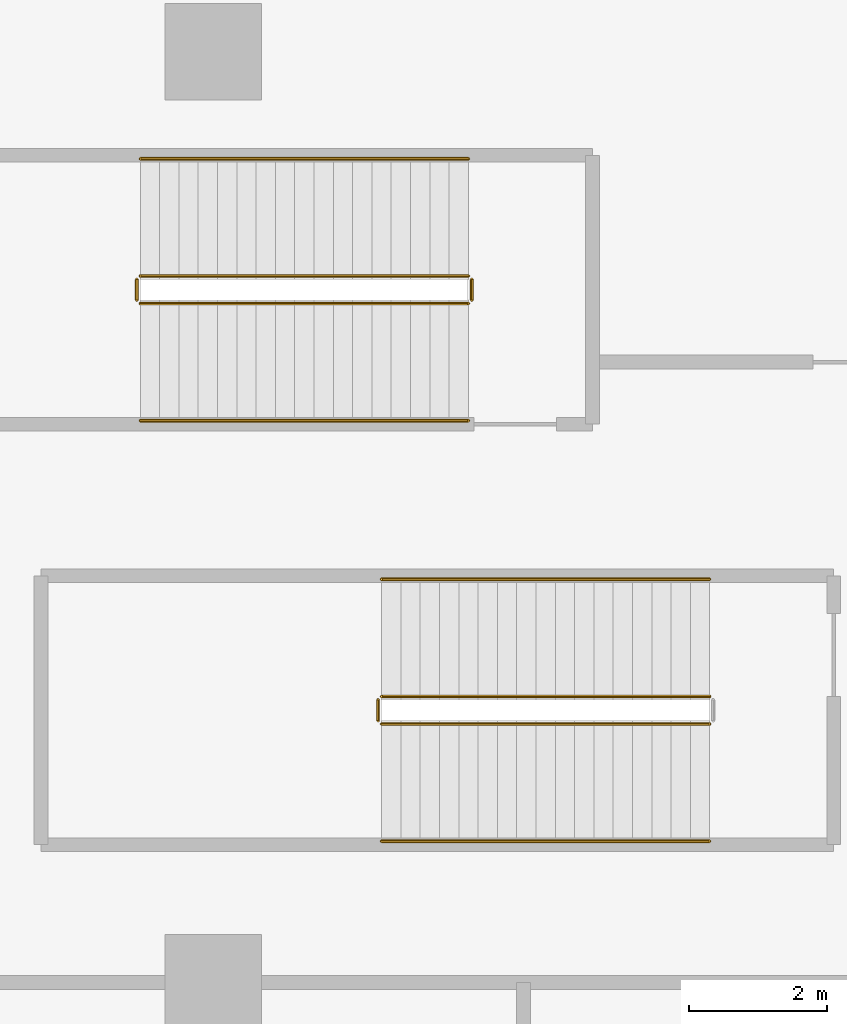
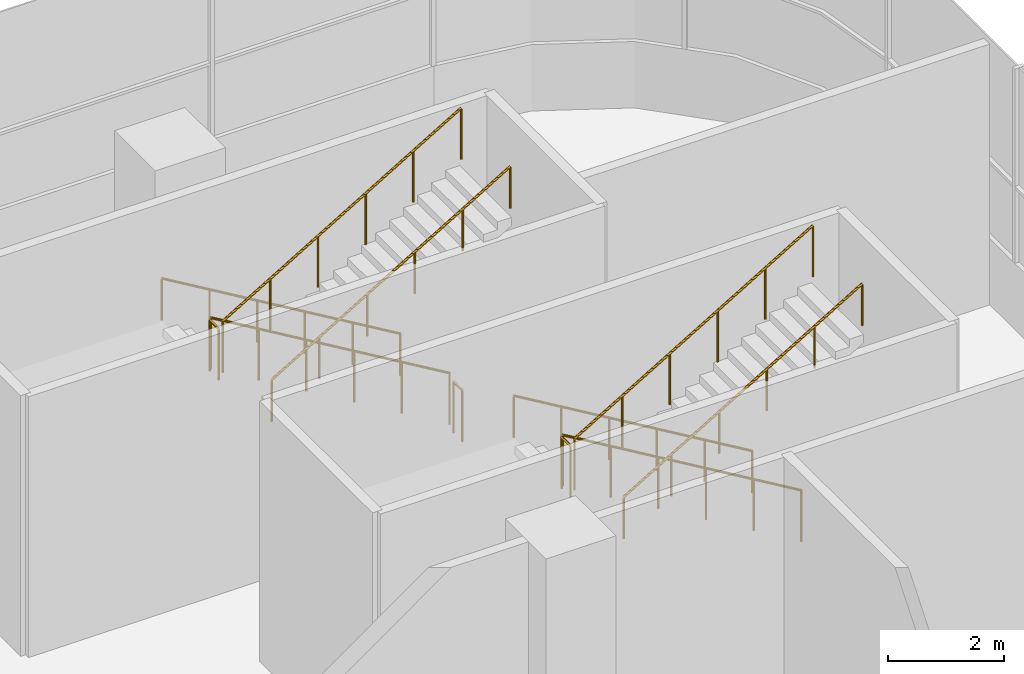
# One storey, part 50 of 52: 11 railings.
"""IFC4 building model written with IfcOpenShell, lengths in metres."""

from ifc_helpers import new_model, si_unit, direction, frame, origin, origin_2d, place, context, subcontext, project, spatial, circle, extrude, material, type_object, element, save


model = new_model("IFC4")

# Units and contexts
model_context = context("Model", 3, precision=1e-05, world=origin(), true_north=direction((0.0, 1.0)))
body_context = subcontext(model_context, "Body", "Model", "MODEL_VIEW")
ifc_project = project(units=[si_unit("LENGTHUNIT", "METRE"), si_unit("AREAUNIT", "SQUARE_METRE"), si_unit("VOLUMEUNIT", "CUBIC_METRE"), si_unit("PLANEANGLEUNIT", "RADIAN"), si_unit("MASSUNIT", "GRAM", prefix="KILO")], contexts=[model_context])

# Site, building, storey
site_placement = place(None, origin())
site = spatial("IfcSite", under=ifc_project, at=site_placement, CompositionType="ELEMENT")
building_placement = place(site_placement, origin())
building = spatial("IfcBuilding", under=site, at=building_placement, Name="Tamarind Cross Interchange Tower", CompositionType="ELEMENT")
storey_placement = place(building_placement, frame((0.0, 0.0, 9.0)))
storey = spatial("IfcBuildingStorey", under=building, at=storey_placement, Name="L01", CompositionType="ELEMENT", Elevation=9.0)

# Railings
ifc_material_1 = material(Name="Public stair guard")
railing_type_1 = type_object("IfcRailingType", Name="Public stair guard", PredefinedType="GUARDRAIL", material=ifc_material_1)
railing_1_placement = place(storey_placement, frame((57.699951171875, 50.75, 0.166748046875)))
element("IfcRailing", 1, at=railing_1_placement, inside=storey, type_object=railing_type_1, Name="L01 XS-P01 stair guard 1", PredefinedType="GUARDRAIL", context=body_context, shape_type="SweptSolid", body=[
    extrude(circle(Radius=0.02392578125, at=origin_2d()), frame((0.0, 0.0, 1.076171875), z_axis=(-0.859299802514, 0.0, 0.511472237174), x_axis=(0.0, -1.0, 0.0)), (0.0, 0.0, 1.0), 5.539306640625),
    extrude(circle(Radius=0.02099609375, at=origin_2d()), origin(), (0.0, 0.0, 1.0), 1.052001953125),
    extrude(circle(Radius=0.02099609375, at=origin_2d()), frame((-0.951904296875, 0.0, 0.566650390625)), (0.0, 0.0, 1.0), 1.052001953125),
    extrude(circle(Radius=0.02099609375, at=origin_2d()), frame((-1.904052734375, 0.0, 1.13330078125)), (0.0, 0.0, 1.0), 1.052001953125),
    extrude(circle(Radius=0.02099609375, at=origin_2d()), frame((-2.85595703125, 0.0, 1.699951171875)), (0.0, 0.0, 1.0), 1.052001953125),
    extrude(circle(Radius=0.02099609375, at=origin_2d()), frame((-3.80810546875, 0.0, 2.2666015625)), (0.0, 0.0, 1.0), 1.052001953125),
    extrude(circle(Radius=0.02099609375, at=origin_2d()), frame((-4.760009765625, 0.0, 2.833251953125)), (0.0, 0.0, 1.0), 1.052001953125),
])
railing_2_placement = place(storey_placement, frame((52.889892578125, 50.699951171875, 3.0)))
element("IfcRailing", 2, at=railing_2_placement, inside=storey, type_object=railing_type_1, Name="L01 XS-P01 stair guard 2", PredefinedType="GUARDRAIL", context=body_context, shape_type="SweptSolid", body=[
    extrude(circle(Radius=0.02392578125, at=origin_2d()), frame((0.0, 0.0, 1.076171875), z_axis=(0.0, -1.0, 0.0), x_axis=(1.0, 0.0, 0.0)), (0.0, 0.0, 1.0), 0.300048828125),
    extrude(circle(Radius=0.02099609375, at=origin_2d()), origin(), (0.0, 0.0, 1.0), 1.052001953125),
    extrude(circle(Radius=0.02099609375, at=origin_2d()), frame((0.0, -0.300048828125, 0.0)), (0.0, 0.0, 1.0), 1.052001953125),
])
railing_3_placement = place(storey_placement, frame((52.93994140625, 50.35009765625, 3.166748046875)))
element("IfcRailing", 3, at=railing_3_placement, inside=storey, type_object=railing_type_1, Name="L01 XS-P01 stair guard 3", PredefinedType="GUARDRAIL", context=body_context, shape_type="SweptSolid", body=[
    extrude(circle(Radius=0.02392578125, at=origin_2d()), frame((0.0, 0.0, 1.076171875), z_axis=(0.859299802514, 0.0, 0.511472237174), x_axis=(0.0, 1.0, 0.0)), (0.0, 0.0, 1.0), 5.539306640625),
    extrude(circle(Radius=0.02099609375, at=origin_2d()), origin(), (0.0, 0.0, 1.0), 1.052001953125),
    extrude(circle(Radius=0.02099609375, at=origin_2d()), frame((0.951904296875, 0.0, 0.566650390625)), (0.0, 0.0, 1.0), 1.052001953125),
    extrude(circle(Radius=0.02099609375, at=origin_2d()), frame((1.904052734375, 0.0, 1.13330078125)), (0.0, 0.0, 1.0), 1.052001953125),
    extrude(circle(Radius=0.02099609375, at=origin_2d()), frame((2.85595703125, 0.0, 1.699951171875)), (0.0, 0.0, 1.0), 1.052001953125),
    extrude(circle(Radius=0.02099609375, at=origin_2d()), frame((3.80810546875, 0.0, 2.2666015625)), (0.0, 0.0, 1.0), 1.052001953125),
    extrude(circle(Radius=0.02099609375, at=origin_2d()), frame((4.760009765625, 0.0, 2.833251953125)), (0.0, 0.0, 1.0), 1.052001953125),
])
railing_4_placement = place(storey_placement, frame((57.75, 50.699951171875, 0.0)))
element("IfcRailing", 4, at=railing_4_placement, inside=storey, type_object=railing_type_1, Name="L01 XS-P01 stair guard 4", PredefinedType="GUARDRAIL", context=body_context, shape_type="SweptSolid", body=[
    extrude(circle(Radius=0.02392578125, at=origin_2d()), frame((0.0, 0.0, 1.076171875), z_axis=(0.0, -1.0, 0.0), x_axis=(1.0, 0.0, 0.0)), (0.0, 0.0, 1.0), 0.300048828125),
    extrude(circle(Radius=0.02099609375, at=origin_2d()), origin(), (0.0, 0.0, 1.0), 1.052001953125),
    extrude(circle(Radius=0.02099609375, at=origin_2d()), frame((0.0, -0.300048828125, 0.0)), (0.0, 0.0, 1.0), 1.052001953125),
])
railing_5_placement = place(storey_placement, frame((61.199951171875, 44.64990234375, 0.166748046875)))
element("IfcRailing", 5, at=railing_5_placement, inside=storey, type_object=railing_type_1, Name="L01 XS-P02 stair guard 1", PredefinedType="GUARDRAIL", context=body_context, shape_type="SweptSolid", body=[
    extrude(circle(Radius=0.02392578125, at=origin_2d()), frame((0.0, 0.0, 1.076171875), z_axis=(-0.859299802514, 0.0, 0.511472237174), x_axis=(0.0, -1.0, 0.0)), (0.0, 0.0, 1.0), 5.539306640625),
    extrude(circle(Radius=0.02099609375, at=origin_2d()), origin(), (0.0, 0.0, 1.0), 1.052001953125),
    extrude(circle(Radius=0.02099609375, at=origin_2d()), frame((-0.951904296875, 0.0, 0.566650390625)), (0.0, 0.0, 1.0), 1.052001953125),
    extrude(circle(Radius=0.02099609375, at=origin_2d()), frame((-1.904052734375, 0.0, 1.13330078125)), (0.0, 0.0, 1.0), 1.052001953125),
    extrude(circle(Radius=0.02099609375, at=origin_2d()), frame((-2.85595703125, 0.0, 1.699951171875)), (0.0, 0.0, 1.0), 1.052001953125),
    extrude(circle(Radius=0.02099609375, at=origin_2d()), frame((-3.80810546875, 0.0, 2.2666015625)), (0.0, 0.0, 1.0), 1.052001953125),
    extrude(circle(Radius=0.02099609375, at=origin_2d()), frame((-4.760009765625, 0.0, 2.833251953125)), (0.0, 0.0, 1.0), 1.052001953125),
])
railing_6_placement = place(storey_placement, frame((56.389892578125, 44.60009765625, 3.0)))
element("IfcRailing", 6, at=railing_6_placement, inside=storey, type_object=railing_type_1, Name="L01 XS-P02 stair guard 2", PredefinedType="GUARDRAIL", context=body_context, shape_type="SweptSolid", body=[
    extrude(circle(Radius=0.02392578125, at=origin_2d()), frame((0.0, 0.0, 1.076171875), z_axis=(0.0, -1.0, 0.0), x_axis=(1.0, 0.0, 0.0)), (0.0, 0.0, 1.0), 0.300048828125),
    extrude(circle(Radius=0.02099609375, at=origin_2d()), origin(), (0.0, 0.0, 1.0), 1.052001953125),
    extrude(circle(Radius=0.02099609375, at=origin_2d()), frame((0.0, -0.300048828125, 0.0)), (0.0, 0.0, 1.0), 1.052001953125),
])
railing_7_placement = place(storey_placement, frame((56.43994140625, 44.25, 3.166748046875)))
element("IfcRailing", 7, at=railing_7_placement, inside=storey, type_object=railing_type_1, Name="L01 XS-P02 stair guard 3", PredefinedType="GUARDRAIL", context=body_context, shape_type="SweptSolid", body=[
    extrude(circle(Radius=0.02392578125, at=origin_2d()), frame((0.0, 0.0, 1.076171875), z_axis=(0.859299802514, 0.0, 0.511472237174), x_axis=(0.0, 1.0, 0.0)), (0.0, 0.0, 1.0), 5.539306640625),
    extrude(circle(Radius=0.02099609375, at=origin_2d()), origin(), (0.0, 0.0, 1.0), 1.052001953125),
    extrude(circle(Radius=0.02099609375, at=origin_2d()), frame((0.951904296875, 0.0, 0.566650390625)), (0.0, 0.0, 1.0), 1.052001953125),
    extrude(circle(Radius=0.02099609375, at=origin_2d()), frame((1.904052734375, 0.0, 1.13330078125)), (0.0, 0.0, 1.0), 1.052001953125),
    extrude(circle(Radius=0.02099609375, at=origin_2d()), frame((2.85595703125, 0.0, 1.699951171875)), (0.0, 0.0, 1.0), 1.052001953125),
    extrude(circle(Radius=0.02099609375, at=origin_2d()), frame((3.80810546875, 0.0, 2.2666015625)), (0.0, 0.0, 1.0), 1.052001953125),
    extrude(circle(Radius=0.02099609375, at=origin_2d()), frame((4.760009765625, 0.0, 2.833251953125)), (0.0, 0.0, 1.0), 1.052001953125),
])
ifc_material_2 = material(Name="Public stair handrail")
railing_type_2 = type_object("IfcRailingType", Name="Public stair handrail", PredefinedType="HANDRAIL", material=ifc_material_2)
railing_8_placement = place(storey_placement, frame((57.699951171875, 52.449951171875, 0.166748046875)))
element("IfcRailing", 8, at=railing_8_placement, inside=storey, type_object=railing_type_2, Name="L01 XS-P01 stair handrail 1", PredefinedType="HANDRAIL", context=body_context, shape_type="SweptSolid", body=[
    extrude(circle(Radius=0.02392578125, at=origin_2d()), frame((0.0, 0.0, 0.8759765625), z_axis=(-0.859299802514, 0.0, 0.511472237174), x_axis=(0.0, -1.0, 0.0)), (0.0, 0.0, 1.0), 5.539306640625),
    extrude(circle(Radius=0.02099609375, at=origin_2d()), origin(), (0.0, 0.0, 1.0), 0.851806640625),
    extrude(circle(Radius=0.02099609375, at=origin_2d()), frame((-0.951904296875, 0.0, 0.566650390625)), (0.0, 0.0, 1.0), 0.851806640625),
    extrude(circle(Radius=0.02099609375, at=origin_2d()), frame((-1.904052734375, 0.0, 1.13330078125)), (0.0, 0.0, 1.0), 0.851806640625),
    extrude(circle(Radius=0.02099609375, at=origin_2d()), frame((-2.85595703125, 0.0, 1.699951171875)), (0.0, 0.0, 1.0), 0.851806640625),
    extrude(circle(Radius=0.02099609375, at=origin_2d()), frame((-3.80810546875, 0.0, 2.2666015625)), (0.0, 0.0, 1.0), 0.851806640625),
    extrude(circle(Radius=0.02099609375, at=origin_2d()), frame((-4.760009765625, 0.0, 2.833251953125)), (0.0, 0.0, 1.0), 0.851806640625),
])
railing_9_placement = place(storey_placement, frame((52.93994140625, 48.64990234375, 3.166748046875)))
element("IfcRailing", 9, at=railing_9_placement, inside=storey, type_object=railing_type_2, Name="L01 XS-P01 stair handrail 2", PredefinedType="HANDRAIL", context=body_context, shape_type="SweptSolid", body=[
    extrude(circle(Radius=0.02392578125, at=origin_2d()), frame((0.0, 0.0, 0.8759765625), z_axis=(0.859299802514, 0.0, 0.511472237174), x_axis=(0.0, 1.0, 0.0)), (0.0, 0.0, 1.0), 5.539306640625),
    extrude(circle(Radius=0.02099609375, at=origin_2d()), origin(), (0.0, 0.0, 1.0), 0.851806640625),
    extrude(circle(Radius=0.02099609375, at=origin_2d()), frame((0.951904296875, 0.0, 0.566650390625)), (0.0, 0.0, 1.0), 0.851806640625),
    extrude(circle(Radius=0.02099609375, at=origin_2d()), frame((1.904052734375, 0.0, 1.13330078125)), (0.0, 0.0, 1.0), 0.851806640625),
    extrude(circle(Radius=0.02099609375, at=origin_2d()), frame((2.85595703125, 0.0, 1.699951171875)), (0.0, 0.0, 1.0), 0.851806640625),
    extrude(circle(Radius=0.02099609375, at=origin_2d()), frame((3.80810546875, 0.0, 2.2666015625)), (0.0, 0.0, 1.0), 0.851806640625),
    extrude(circle(Radius=0.02099609375, at=origin_2d()), frame((4.760009765625, 0.0, 2.833251953125)), (0.0, 0.0, 1.0), 0.851806640625),
])
railing_10_placement = place(storey_placement, frame((61.199951171875, 46.35009765625, 0.166748046875)))
element("IfcRailing", 10, at=railing_10_placement, inside=storey, type_object=railing_type_2, Name="L01 XS-P02 stair handrail 1", PredefinedType="HANDRAIL", context=body_context, shape_type="SweptSolid", body=[
    extrude(circle(Radius=0.02392578125, at=origin_2d()), frame((0.0, 0.0, 0.8759765625), z_axis=(-0.859299802514, 0.0, 0.511472237174), x_axis=(0.0, -1.0, 0.0)), (0.0, 0.0, 1.0), 5.539306640625),
    extrude(circle(Radius=0.02099609375, at=origin_2d()), origin(), (0.0, 0.0, 1.0), 0.851806640625),
    extrude(circle(Radius=0.02099609375, at=origin_2d()), frame((-0.951904296875, 0.0, 0.566650390625)), (0.0, 0.0, 1.0), 0.851806640625),
    extrude(circle(Radius=0.02099609375, at=origin_2d()), frame((-1.904052734375, 0.0, 1.13330078125)), (0.0, 0.0, 1.0), 0.851806640625),
    extrude(circle(Radius=0.02099609375, at=origin_2d()), frame((-2.85595703125, 0.0, 1.699951171875)), (0.0, 0.0, 1.0), 0.851806640625),
    extrude(circle(Radius=0.02099609375, at=origin_2d()), frame((-3.80810546875, 0.0, 2.2666015625)), (0.0, 0.0, 1.0), 0.851806640625),
    extrude(circle(Radius=0.02099609375, at=origin_2d()), frame((-4.760009765625, 0.0, 2.833251953125)), (0.0, 0.0, 1.0), 0.851806640625),
])
railing_11_placement = place(storey_placement, frame((56.43994140625, 42.550048828125, 3.166748046875)))
element("IfcRailing", 11, at=railing_11_placement, inside=storey, type_object=railing_type_2, Name="L01 XS-P02 stair handrail 2", PredefinedType="HANDRAIL", context=body_context, shape_type="SweptSolid", body=[
    extrude(circle(Radius=0.02392578125, at=origin_2d()), frame((0.0, 0.0, 0.8759765625), z_axis=(0.859299802514, 0.0, 0.511472237174), x_axis=(0.0, 1.0, 0.0)), (0.0, 0.0, 1.0), 5.539306640625),
    extrude(circle(Radius=0.02099609375, at=origin_2d()), origin(), (0.0, 0.0, 1.0), 0.851806640625),
    extrude(circle(Radius=0.02099609375, at=origin_2d()), frame((0.951904296875, 0.0, 0.566650390625)), (0.0, 0.0, 1.0), 0.851806640625),
    extrude(circle(Radius=0.02099609375, at=origin_2d()), frame((1.904052734375, 0.0, 1.13330078125)), (0.0, 0.0, 1.0), 0.851806640625),
    extrude(circle(Radius=0.02099609375, at=origin_2d()), frame((2.85595703125, 0.0, 1.699951171875)), (0.0, 0.0, 1.0), 0.851806640625),
    extrude(circle(Radius=0.02099609375, at=origin_2d()), frame((3.80810546875, 0.0, 2.2666015625)), (0.0, 0.0, 1.0), 0.851806640625),
    extrude(circle(Radius=0.02099609375, at=origin_2d()), frame((4.760009765625, 0.0, 2.833251953125)), (0.0, 0.0, 1.0), 0.851806640625),
])

save(model, "model.ifc")
